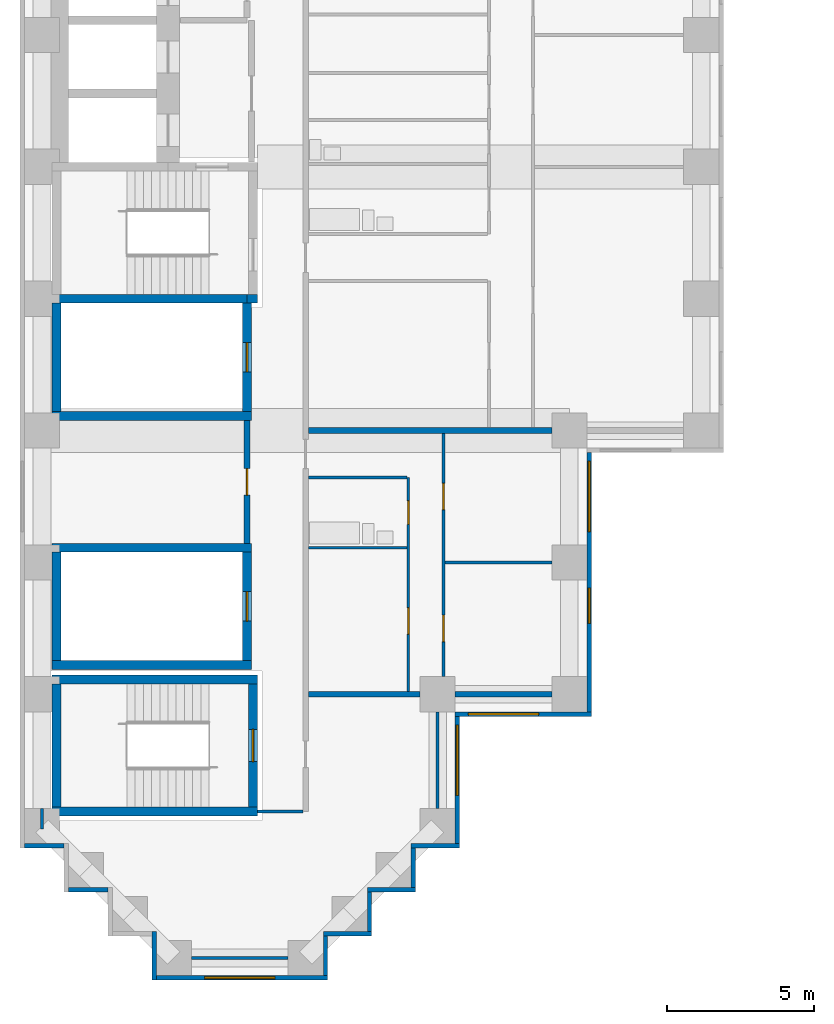
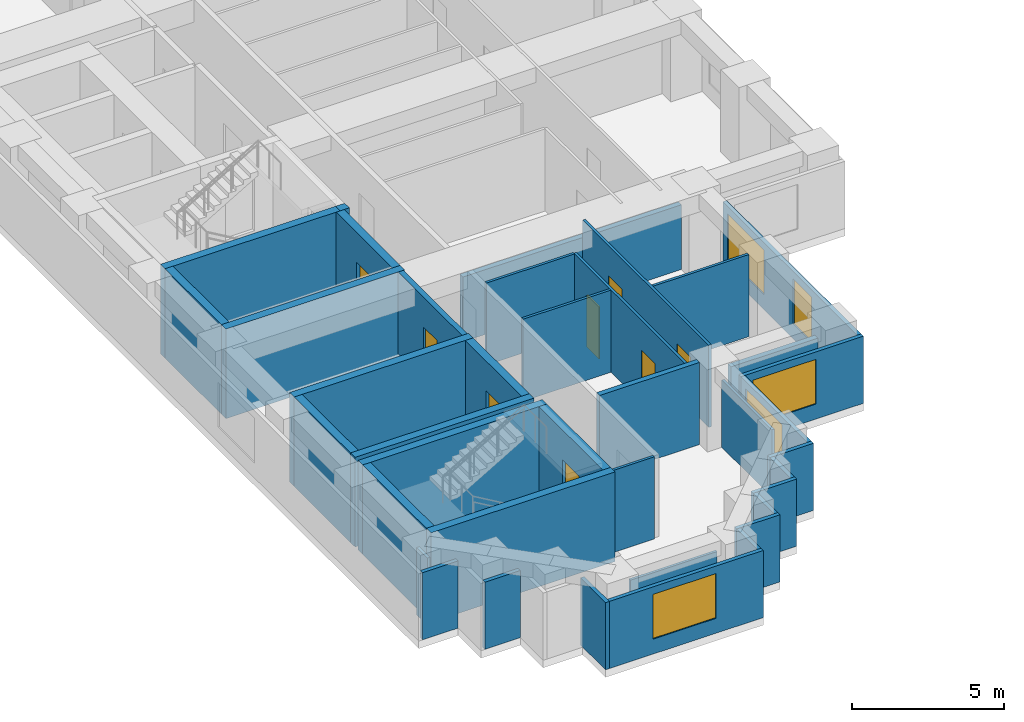
# One storey, part 2 of 12: 39 walls, 8 doors, 5 windows, 13 openings.
"""IFC4 building model written with IfcOpenShell, lengths in metres."""

from ifc_helpers import new_model, si_unit, direction, frame, frame_2d, origin, place, context, subcontext, project, spatial, rectangle, extrude, material, layer, layer_set, type_object, element, fill, save


model = new_model("IFC4")

# Units and contexts
model_context = context("Model", 3, precision=1e-05, world=origin(), true_north=direction((0.0, 1.0)))
body_context = subcontext(model_context, "Body", "Model", "MODEL_VIEW")
ifc_project = project(units=[si_unit("LENGTHUNIT", "METRE"), si_unit("AREAUNIT", "SQUARE_METRE"), si_unit("VOLUMEUNIT", "CUBIC_METRE"), si_unit("PLANEANGLEUNIT", "RADIAN"), si_unit("MASSUNIT", "GRAM", prefix="KILO")], contexts=[model_context])

# Site, building, storey
site_placement = place(None, origin())
site = spatial("IfcSite", under=ifc_project, at=site_placement, CompositionType="ELEMENT")
building_placement = place(site_placement, origin())
building = spatial("IfcBuilding", under=site, at=building_placement, Name="Firuza Court", CompositionType="ELEMENT")
storey_placement = place(building_placement, frame((0.0, 0.0, 97.39990234375)))
storey = spatial("IfcBuildingStorey", under=building, at=storey_placement, Name="L24", CompositionType="ELEMENT", Elevation=97.39990234375)

# Walls
ifc_material_1 = material(Name="Moisture-resistant gypsum board partition")
ifc_layer_1 = layer(ifc_material_1, 0.10009765625)
ifc_layer_set_1 = layer_set([ifc_layer_1], Name="Moisture-resistant gypsum board partition")
wall_type_1 = type_object("IfcWallType", Name="Bathroom partition 100", PredefinedType="PLUMBINGWALL", material=ifc_layer_set_1)
for number, where, z_axis, x_axis, name in (
    (1, (9.10009765625, 14.0, 0.0), (0.0, 0.0, 1.0), (1.0, 0.0, 0.0), "Bathroom partition 100 L24"),
    (2, (9.10009765625, 16.39990234375, 0.0), (0.0, 0.0, 1.0), (1.0, 0.0, 0.0), "Bathroom partition 100 L24"),
):
    element("IfcWall", number, at=place(storey_placement, frame(where, z_axis=z_axis, x_axis=x_axis)), inside=storey, type_object=wall_type_1, Name=name, PredefinedType="PLUMBINGWALL", context=body_context, shape_type="SweptSolid", body=[
        extrude(rectangle(XDim=3.349853515625, YDim=0.10009765625, at=frame_2d((1.6748046875, 0.0))), origin(), (0.0, 0.0, 1.0), 3.300048828125),
    ])
ifc_material_2 = material(Name="Concrete C60/75", Category="concrete")
ifc_layer_2 = layer(ifc_material_2, 0.300048828125)
ifc_layer_set_2 = layer_set([ifc_layer_2], Name="Concrete C60/75")
wall_type_2 = type_object("IfcWallType", Name="Core wall 300 C60/75", PredefinedType="SHEAR", material=ifc_layer_set_2)
for number, where, z_axis, x_axis, name in (
    (3, (0.35009765625, 5.0, -0.2998046875), (0.0, 0.0, 1.0), (1.0, 0.0, 0.0), "Core wall stair L24"),
    (4, (0.35009765625, 9.5, -0.2998046875), (0.0, 0.0, 1.0), (1.0, 0.0, 0.0), "Core wall stair L24"),
):
    element("IfcWall", number, at=place(storey_placement, frame(where, z_axis=z_axis, x_axis=x_axis)), inside=storey, type_object=wall_type_2, Name=name, PredefinedType="SHEAR", context=body_context, shape_type="SweptSolid", body=[
        extrude(rectangle(XDim=7.0, YDim=0.300048828125, at=frame_2d((3.5, 0.0))), origin(), (0.0, 0.0, 1.0), 3.599853515625),
    ])
for number, where, z_axis, x_axis, name in (
    (5, (0.35009765625, 10.0, -0.2998046875), (0.0, 0.0, 1.0), (1.0, 0.0, 0.0), "Core wall riser L24"),
    (6, (0.35009765625, 14.0, -0.2998046875), (0.0, 0.0, 1.0), (1.0, 0.0, 0.0), "Core wall riser L24"),
    (7, (0.35009765625, 18.5, -0.2998046875), (0.0, 0.0, 1.0), (1.0, 0.0, 0.0), "Core wall riser L24"),
):
    element("IfcWall", number, at=place(storey_placement, frame(where, z_axis=z_axis, x_axis=x_axis)), inside=storey, type_object=wall_type_2, Name=name, PredefinedType="SHEAR", context=body_context, shape_type="SweptSolid", body=[
        extrude(rectangle(XDim=6.7998046875, YDim=0.300048828125, at=frame_2d((3.39990234375, 0.0))), origin(), (0.0, 0.0, 1.0), 3.599853515625),
    ])
wall_1_placement = place(storey_placement, frame((0.35009765625, 22.5, -0.2998046875), z_axis=(0.0, 0.0, 1.0), x_axis=(1.0, 0.0, 0.0)))
element("IfcWall", 8, at=wall_1_placement, inside=storey, type_object=wall_type_2, Name="Core wall riser L24", PredefinedType="SHEAR", context=body_context, shape_type="SweptSolid", body=[
    extrude(rectangle(XDim=6.64990234375, YDim=0.300048828125, at=frame_2d((3.324951171875, 0.0))), origin(), (0.0, 0.0, 1.0), 3.599853515625),
])
wall_2_placement = place(storey_placement, frame((0.5, 5.14990234375, -0.2998046875), z_axis=(0.0, 0.0, 1.0), x_axis=(0.0, 1.0, 0.0)))
element("IfcWall", 9, at=wall_2_placement, inside=storey, type_object=wall_type_2, Name="Core wall stair L24", PredefinedType="SHEAR", context=body_context, shape_type="SweptSolid", body=[
    extrude(rectangle(XDim=4.2001953125, YDim=0.300048828125, at=frame_2d((2.10009765625, 0.0))), origin(), (0.0, 0.0, 1.0), 3.599853515625),
])
for number, where, z_axis, x_axis, name in (
    (10, (0.5, 10.14990234375, -0.2998046875), (0.0, 0.0, 1.0), (0.0, 1.0, 0.0), "Core wall riser L24"),
    (11, (0.5, 18.64990234375, -0.2998046875), (0.0, 0.0, 1.0), (0.0, 1.0, 0.0), "Core wall riser L24"),
):
    element("IfcWall", number, at=place(storey_placement, frame(where, z_axis=z_axis, x_axis=x_axis)), inside=storey, type_object=wall_type_2, Name=name, PredefinedType="SHEAR", context=body_context, shape_type="SweptSolid", body=[
        extrude(rectangle(XDim=3.7001953125, YDim=0.300048828125, at=frame_2d((1.85009765625, 0.0))), origin(), (0.0, 0.0, 1.0), 3.599853515625),
    ])

# Wall, opening, door
wall_3_placement = place(storey_placement, frame((7.0, 10.14990234375, -0.2998046875), z_axis=(0.0, 0.0, 1.0), x_axis=(0.0, 1.0, 0.0)))
wall_3 = element("IfcWall", 12, at=wall_3_placement, inside=storey, type_object=wall_type_2, Name="Core wall riser L24", PredefinedType="SHEAR", context=body_context, shape_type="SweptSolid", body=[
    extrude(rectangle(XDim=3.7001953125, YDim=0.300048828125, at=frame_2d((1.85009765625, 0.0))), origin(), (0.0, 0.0, 1.0), 3.599853515625),
])
opening_1_placement = place(wall_3_placement, frame((1.35009765625, 0.0, 0.300048828125)))
opening_1 = element("IfcOpeningElement", 13, at=opening_1_placement, cuts=wall_3, Name="Opening D24012", PredefinedType="OPENING", context=body_context, shape_type="SweptSolid", body=[
    extrude(rectangle(XDim=1.0, YDim=2.10009765625, at=frame_2d((0.5, 1.050048828125))), frame((0.0, 0.162109375, 0.0), z_axis=(0.0, -1.0, 0.0), x_axis=(1.0, 0.0, 0.0)), (0.0, 0.0, 1.0), 0.323974609375),
])
ifc_material_3 = material(Name="Timber door leaf in hardwood frame", Category="wood")
door_type_1 = type_object("IfcDoorType", Name="Riser door 1000", OperationType="SINGLE_SWING_LEFT", PredefinedType="DOOR", material=ifc_material_3)
door_1_placement = place(opening_1_placement, origin())
door_1 = element("IfcDoor", 14, at=door_1_placement, inside=storey, type_object=door_type_1, Name="Riser door R4", OperationType="SINGLE_SWING_LEFT", OverallHeight=2.10009765625, OverallWidth=1.0, PredefinedType="DOOR", context=body_context, shape_type="SweptSolid", body=[
    extrude(rectangle(XDim=1.0, YDim=2.10009765625, at=frame_2d((0.5, 1.050048828125))), frame((0.0, 0.02490234375, 0.0), z_axis=(0.0, -1.0, 0.0), x_axis=(1.0, 0.0, 0.0)), (0.0, 0.0, 1.0), 0.050048828125),
])
fill(opening_1, door_1)

wall_4_placement = place(storey_placement, frame((7.0, 18.64990234375, -0.2998046875), z_axis=(0.0, 0.0, 1.0), x_axis=(0.0, 1.0, 0.0)))
wall_4 = element("IfcWall", 15, at=wall_4_placement, inside=storey, type_object=wall_type_2, Name="Core wall riser L24", PredefinedType="SHEAR", context=body_context, shape_type="SweptSolid", body=[
    extrude(rectangle(XDim=3.7001953125, YDim=0.300048828125, at=frame_2d((1.85009765625, 0.0))), origin(), (0.0, 0.0, 1.0), 3.599853515625),
])
opening_2_placement = place(wall_4_placement, frame((1.35009765625, 0.0, 0.300048828125)))
opening_2 = element("IfcOpeningElement", 16, at=opening_2_placement, cuts=wall_4, Name="Opening D24010", PredefinedType="OPENING", context=body_context, shape_type="SweptSolid", body=[
    extrude(rectangle(XDim=1.0, YDim=2.10009765625, at=frame_2d((0.5, 1.050048828125))), frame((0.0, 0.162109375, 0.0), z_axis=(0.0, -1.0, 0.0), x_axis=(1.0, 0.0, 0.0)), (0.0, 0.0, 1.0), 0.323974609375),
])
door_2_placement = place(opening_2_placement, origin())
door_2 = element("IfcDoor", 17, at=door_2_placement, inside=storey, type_object=door_type_1, Name="Riser door R1", OperationType="SINGLE_SWING_LEFT", OverallHeight=2.10009765625, OverallWidth=1.0, PredefinedType="DOOR", context=body_context, shape_type="SweptSolid", body=[
    extrude(rectangle(XDim=1.0, YDim=2.10009765625, at=frame_2d((0.5, 1.050048828125))), frame((0.0, 0.02490234375, 0.0), z_axis=(0.0, -1.0, 0.0), x_axis=(1.0, 0.0, 0.0)), (0.0, 0.0, 1.0), 0.050048828125),
])
fill(opening_2, door_2)

# Wall
wall_5_placement = place(storey_placement, frame((7.0, 22.5, -0.2998046875), z_axis=(0.0, 0.0, 1.0), x_axis=(1.0, 0.0, 0.0)))
element("IfcWall", 18, at=wall_5_placement, inside=storey, type_object=wall_type_2, Name="Core wall stair L24", PredefinedType="SHEAR", context=body_context, shape_type="SweptSolid", body=[
    extrude(rectangle(XDim=0.35009765625, YDim=0.300048828125, at=frame_2d((0.175048828125, 0.0))), origin(), (0.0, 0.0, 1.0), 3.599853515625),
])

# Wall, opening, door
wall_6_placement = place(storey_placement, frame((7.199951171875, 5.14990234375, -0.2998046875), z_axis=(0.0, 0.0, 1.0), x_axis=(0.0, 1.0, 0.0)))
wall_6 = element("IfcWall", 19, at=wall_6_placement, inside=storey, type_object=wall_type_2, Name="Core wall stair L24", PredefinedType="SHEAR", context=body_context, shape_type="SweptSolid", body=[
    extrude(rectangle(XDim=4.2001953125, YDim=0.300048828125, at=frame_2d((2.10009765625, 0.0))), origin(), (0.0, 0.0, 1.0), 3.599853515625),
])
opening_3_placement = place(wall_6_placement, frame((1.550048828125, 0.0, 0.300048828125)))
opening_3 = element("IfcOpeningElement", 20, at=opening_3_placement, cuts=wall_6, Name="Opening D24018", PredefinedType="OPENING", context=body_context, shape_type="SweptSolid", body=[
    extrude(rectangle(XDim=1.10009765625, YDim=2.10009765625, at=frame_2d((0.550048828125, 1.050048828125))), frame((0.0, 0.162109375, 0.0), z_axis=(0.0, -1.0, 0.0), x_axis=(1.0, 0.0, 0.0)), (0.0, 0.0, 1.0), 0.323974609375),
])
ifc_material_4 = material(Name="Timber door leaf in hardwood frame", Category="wood")
door_type_2 = type_object("IfcDoorType", Name="Stair door 1100", OperationType="SINGLE_SWING_LEFT", PredefinedType="DOOR", material=ifc_material_4)
door_3_placement = place(opening_3_placement, origin())
door_3 = element("IfcDoor", 21, at=door_3_placement, inside=storey, type_object=door_type_2, Name="Stair door S5", OperationType="SINGLE_SWING_LEFT", OverallHeight=2.10009765625, OverallWidth=1.10009765625, PredefinedType="DOOR", context=body_context, shape_type="SweptSolid", body=[
    extrude(rectangle(XDim=1.10009765625, YDim=2.10009765625, at=frame_2d((0.550048828125, 1.050048828125))), frame((0.0, 0.02490234375, 0.0), z_axis=(0.0, -1.0, 0.0), x_axis=(1.0, 0.0, 0.0)), (0.0, 0.0, 1.0), 0.050048828125),
])
fill(opening_3, door_3)

ifc_material_5 = material(Name="Blockwork, plastered both sides", Category="masonry")
ifc_layer_3 = layer(ifc_material_5, 0.199951171875)
ifc_layer_set_3 = layer_set([ifc_layer_3], Name="Blockwork, plastered both sides")
wall_type_3 = type_object("IfcWallType", Name="Corridor wall 200", PredefinedType="PARTITIONING", material=ifc_layer_set_3)
wall_7_placement = place(storey_placement, frame((7.0, 14.14990234375, 0.0), z_axis=(0.0, 0.0, 1.0), x_axis=(0.0, 1.0, 0.0)))
wall_7 = element("IfcWall", 22, at=wall_7_placement, inside=storey, type_object=wall_type_3, Name="Corridor wall 200 L24", PredefinedType="PARTITIONING", context=body_context, shape_type="SweptSolid", body=[
    extrude(rectangle(XDim=4.2001953125, YDim=0.199951171875, at=frame_2d((2.10009765625, 0.0))), origin(), (0.0, 0.0, 1.0), 3.300048828125),
])
opening_4_placement = place(wall_7_placement, frame((1.64990234375, 0.0, 0.0)))
opening_4 = element("IfcOpeningElement", 23, at=opening_4_placement, cuts=wall_7, Name="Opening D24027", PredefinedType="OPENING", context=body_context, shape_type="SweptSolid", body=[
    extrude(rectangle(XDim=0.89990234375, YDim=2.10009765625, at=frame_2d((0.449951171875, 1.050048828125))), frame((0.0, 0.11181640625, 0.0), z_axis=(0.0, -1.0, 0.0), x_axis=(1.0, 0.0, 0.0)), (0.0, 0.0, 1.0), 0.223876953125),
])
ifc_material_6 = material(Name="Timber door leaf in hardwood frame", Category="wood")
door_type_3 = type_object("IfcDoorType", Name="Room door 900 EI 30", OperationType="SINGLE_SWING_LEFT", PredefinedType="DOOR", material=ifc_material_6)
door_4_placement = place(opening_4_placement, origin())
door_4 = element("IfcDoor", 24, at=door_4_placement, inside=storey, type_object=door_type_3, Name="Meeting room door", OperationType="SINGLE_SWING_LEFT", OverallHeight=2.10009765625, OverallWidth=0.89990234375, PredefinedType="DOOR", context=body_context, shape_type="SweptSolid", body=[
    extrude(rectangle(XDim=0.89990234375, YDim=2.10009765625, at=frame_2d((0.449951171875, 1.050048828125))), frame((0.0, 0.02490234375, 0.0), z_axis=(0.0, -1.0, 0.0), x_axis=(1.0, 0.0, 0.0)), (0.0, 0.0, 1.0), 0.050048828125),
])
fill(opening_4, door_4)

# Walls
ifc_material_7 = material(Name="Timber stud partition, plasterboard both sides", Category="wood")
ifc_layer_4 = layer(ifc_material_7, 0.10009765625)
ifc_layer_set_4 = layer_set([ifc_layer_4], Name="Timber stud partition, plasterboard both sides")
wall_type_4 = type_object("IfcWallType", Name="Partition wall 100", PredefinedType="PARTITIONING", material=ifc_layer_set_4)
wall_8_placement = place(storey_placement, frame((5.10009765625, 0.0, 0.0), z_axis=(0.0, 0.0, 1.0), x_axis=(1.0, 0.0, 0.0)))
element("IfcWall", 25, at=wall_8_placement, inside=storey, type_object=wall_type_4, Name="Partition wall 100 L24", PredefinedType="PARTITIONING", context=body_context, shape_type="SweptSolid", body=[
    extrude(rectangle(XDim=3.2998046875, YDim=0.10009765625, at=frame_2d((1.64990234375, 0.0))), origin(), (0.0, 0.0, 1.0), 2.7001953125),
])
wall_9_placement = place(storey_placement, frame((0.0, 4.39990234375, 0.0), z_axis=(0.0, 0.0, 1.0), x_axis=(0.0, 1.0, 0.0)))
element("IfcWall", 26, at=wall_9_placement, inside=storey, type_object=wall_type_4, Name="Partition wall 100 L24", PredefinedType="PARTITIONING", context=body_context, shape_type="SweptSolid", body=[
    extrude(rectangle(XDim=0.7001953125, YDim=0.10009765625, at=frame_2d((0.35009765625, 0.0))), origin(), (0.0, 0.0, 1.0), 2.7001953125),
])
wall_10_placement = place(storey_placement, frame((7.34912109375, 5.0, 0.0), z_axis=(0.0, 0.0, 1.0), x_axis=(1.0, 0.0, 0.0)))
element("IfcWall", 27, at=wall_10_placement, inside=storey, type_object=wall_type_4, Name="Partition wall 100 L24", PredefinedType="PARTITIONING", context=body_context, shape_type="SweptSolid", body=[
    extrude(rectangle(XDim=1.55078125, YDim=0.10009765625, at=frame_2d((0.775390625, 0.0))), origin(), (0.0, 0.0, 1.0), 3.300048828125),
])
wall_11_placement = place(storey_placement, frame((13.5, 5.10009765625, 0.0), z_axis=(0.0, 0.0, 1.0), x_axis=(0.0, 1.0, 0.0)))
element("IfcWall", 28, at=wall_11_placement, inside=storey, type_object=wall_type_4, Name="Partition wall 100 L24", PredefinedType="PARTITIONING", context=body_context, shape_type="SweptSolid", body=[
    extrude(rectangle(XDim=3.2998046875, YDim=0.10009765625, at=frame_2d((1.64990234375, 0.0))), origin(), (0.0, 0.0, 1.0), 2.7001953125),
])

# Wall, openings, doors
wall_12_placement = place(storey_placement, frame((12.5, 9.10009765625, 0.0), z_axis=(0.0, 0.0, 1.0), x_axis=(0.0, 1.0, 0.0)))
wall_12 = element("IfcWall", 29, at=wall_12_placement, inside=storey, type_object=wall_type_4, Name="Partition wall 100 L24", PredefinedType="PARTITIONING", context=body_context, shape_type="SweptSolid", body=[
    extrude(rectangle(XDim=7.2998046875, YDim=0.10009765625, at=frame_2d((3.64990234375, 0.0))), origin(), (0.0, 0.0, 1.0), 3.300048828125),
])
opening_5_placement = place(wall_12_placement, frame((5.699951171875, 0.0, 0.0)))
opening_5 = element("IfcOpeningElement", 30, at=opening_5_placement, cuts=wall_12, Name="Opening D24023", PredefinedType="OPENING", context=body_context, shape_type="SweptSolid", body=[
    extrude(rectangle(XDim=0.800048828125, YDim=2.10009765625, at=frame_2d((0.39990234375, 1.050048828125))), frame((0.0, 0.06201171875, 0.0), z_axis=(0.0, -1.0, 0.0), x_axis=(1.0, 0.0, 0.0)), (0.0, 0.0, 1.0), 0.1240234375),
])
opening_6_placement = place(wall_12_placement, frame((1.949951171875, 0.0, 0.0)))
opening_6 = element("IfcOpeningElement", 31, at=opening_6_placement, cuts=wall_12, Name="Opening D24024", PredefinedType="OPENING", context=body_context, shape_type="SweptSolid", body=[
    extrude(rectangle(XDim=0.89990234375, YDim=2.10009765625, at=frame_2d((0.449951171875, 1.050048828125))), frame((0.0, 0.06201171875, 0.0), z_axis=(0.0, -1.0, 0.0), x_axis=(1.0, 0.0, 0.0)), (0.0, 0.0, 1.0), 0.1240234375),
])
ifc_material_8 = material(Name="Timber door leaf in hardwood frame", Category="wood")
door_type_4 = type_object("IfcDoorType", Name="Bathroom door 800", OperationType="SINGLE_SWING_LEFT", PredefinedType="DOOR", material=ifc_material_8)
door_5_placement = place(opening_5_placement, origin())
door_5 = element("IfcDoor", 32, at=door_5_placement, inside=storey, type_object=door_type_4, Name="Bathroom door", OperationType="SINGLE_SWING_LEFT", OverallHeight=2.10009765625, OverallWidth=0.800048828125, PredefinedType="DOOR", context=body_context, shape_type="SweptSolid", body=[
    extrude(rectangle(XDim=0.800048828125, YDim=2.10009765625, at=frame_2d((0.39990234375, 1.050048828125))), frame((0.0, 0.02490234375, 0.0), z_axis=(0.0, -1.0, 0.0), x_axis=(1.0, 0.0, 0.0)), (0.0, 0.0, 1.0), 0.050048828125),
])
fill(opening_5, door_5)
ifc_material_9 = material(Name="Timber door leaf in hardwood frame", Category="wood")
door_type_5 = type_object("IfcDoorType", Name="Room door 900", OperationType="SINGLE_SWING_LEFT", PredefinedType="DOOR", material=ifc_material_9)
door_6_placement = place(opening_6_placement, origin())
door_6 = element("IfcDoor", 33, at=door_6_placement, inside=storey, type_object=door_type_5, Name="Kitchen door", OperationType="SINGLE_SWING_LEFT", OverallHeight=2.10009765625, OverallWidth=0.89990234375, PredefinedType="DOOR", context=body_context, shape_type="SweptSolid", body=[
    extrude(rectangle(XDim=0.89990234375, YDim=2.10009765625, at=frame_2d((0.449951171875, 1.050048828125))), frame((0.0, 0.02490234375, 0.0), z_axis=(0.0, -1.0, 0.0), x_axis=(1.0, 0.0, 0.0)), (0.0, 0.0, 1.0), 0.050048828125),
])
fill(opening_6, door_6)

wall_13_placement = place(storey_placement, frame((13.699951171875, 9.60009765625, 0.0), z_axis=(0.0, 0.0, 1.0), x_axis=(0.0, 1.0, 0.0)))
wall_13 = element("IfcWall", 34, at=wall_13_placement, inside=storey, type_object=wall_type_4, Name="Partition wall 100 L24", PredefinedType="PARTITIONING", context=body_context, shape_type="SweptSolid", body=[
    extrude(rectangle(XDim=8.2998046875, YDim=0.10009765625, at=frame_2d((4.14990234375, 0.0))), origin(), (0.0, 0.0, 1.0), 3.300048828125),
])
opening_7_placement = place(wall_13_placement, frame((1.199951171875, 0.0, 0.0)))
opening_7 = element("IfcOpeningElement", 35, at=opening_7_placement, cuts=wall_13, Name="Opening D24025", PredefinedType="OPENING", context=body_context, shape_type="SweptSolid", body=[
    extrude(rectangle(XDim=0.89990234375, YDim=2.10009765625, at=frame_2d((0.449951171875, 1.050048828125))), frame((0.0, 0.06201171875, 0.0), z_axis=(0.0, -1.0, 0.0), x_axis=(1.0, 0.0, 0.0)), (0.0, 0.0, 1.0), 0.1240234375),
])
opening_8_placement = place(wall_13_placement, frame((5.699951171875, 0.0, 0.0)))
opening_8 = element("IfcOpeningElement", 36, at=opening_8_placement, cuts=wall_13, Name="Opening D24026", PredefinedType="OPENING", context=body_context, shape_type="SweptSolid", body=[
    extrude(rectangle(XDim=0.89990234375, YDim=2.10009765625, at=frame_2d((0.449951171875, 1.050048828125))), frame((0.0, 0.06201171875, 0.0), z_axis=(0.0, -1.0, 0.0), x_axis=(1.0, 0.0, 0.0)), (0.0, 0.0, 1.0), 0.1240234375),
])
door_7_placement = place(opening_7_placement, frame((0.89990234375, 0.0, 0.0), z_axis=(0.0, 0.0, 1.0), x_axis=(-1.0, 0.0, 0.0)))
door_7 = element("IfcDoor", 37, at=door_7_placement, inside=storey, type_object=door_type_5, Name="Bedroom door", OperationType="SINGLE_SWING_RIGHT", OverallHeight=2.10009765625, OverallWidth=0.89990234375, PredefinedType="DOOR", context=body_context, shape_type="SweptSolid", body=[
    extrude(rectangle(XDim=0.89990234375, YDim=2.10009765625, at=frame_2d((0.449951171875, 1.050048828125))), frame((0.0, 0.02490234375, 0.0), z_axis=(0.0, -1.0, 0.0), x_axis=(1.0, 0.0, 0.0)), (0.0, 0.0, 1.0), 0.050048828125),
])
fill(opening_7, door_7)
door_8_placement = place(opening_8_placement, frame((0.89990234375, 0.0, 0.0), z_axis=(0.0, 0.0, 1.0), x_axis=(-1.0, 0.0, 0.0)))
door_8 = element("IfcDoor", 38, at=door_8_placement, inside=storey, type_object=door_type_5, Name="Living room door", OperationType="SINGLE_SWING_RIGHT", OverallHeight=2.10009765625, OverallWidth=0.89990234375, PredefinedType="DOOR", context=body_context, shape_type="SweptSolid", body=[
    extrude(rectangle(XDim=0.89990234375, YDim=2.10009765625, at=frame_2d((0.449951171875, 1.050048828125))), frame((0.0, 0.02490234375, 0.0), z_axis=(0.0, -1.0, 0.0), x_axis=(1.0, 0.0, 0.0)), (0.0, 0.0, 1.0), 0.050048828125),
])
fill(opening_8, door_8)

# Walls
wall_14_placement = place(storey_placement, frame((13.75, 13.5, 0.0), z_axis=(0.0, 0.0, 1.0), x_axis=(1.0, 0.0, 0.0)))
element("IfcWall", 39, at=wall_14_placement, inside=storey, type_object=wall_type_4, Name="Partition wall 100 L24", PredefinedType="PARTITIONING", context=body_context, shape_type="SweptSolid", body=[
    extrude(rectangle(XDim=3.64990234375, YDim=0.10009765625, at=frame_2d((1.824951171875, 0.0))), origin(), (0.0, 0.0, 1.0), 3.300048828125),
])
ifc_layer_5 = layer(ifc_material_5, 0.199951171875)
ifc_layer_set_5 = layer_set([ifc_layer_5], Name="Blockwork, plastered both sides")
wall_type_5 = type_object("IfcWallType", Name="Party wall 200", PredefinedType="PARTITIONING", material=ifc_layer_set_5)
wall_15_placement = place(storey_placement, frame((9.10009765625, 9.0, 0.0), z_axis=(0.0, 0.0, 1.0), x_axis=(1.0, 0.0, 0.0)))
element("IfcWall", 40, at=wall_15_placement, inside=storey, type_object=wall_type_5, Name="Party wall 200 L24", PredefinedType="PARTITIONING", context=body_context, shape_type="SweptSolid", body=[
    extrude(rectangle(XDim=3.7998046875, YDim=0.199951171875, at=frame_2d((1.89990234375, 0.0))), origin(), (0.0, 0.0, 1.0), 3.300048828125),
])
wall_16_placement = place(storey_placement, frame((14.10009765625, 9.0, 0.0), z_axis=(0.0, 0.0, 1.0), x_axis=(1.0, 0.0, 0.0)))
element("IfcWall", 41, at=wall_16_placement, inside=storey, type_object=wall_type_5, Name="Party wall 200 L24", PredefinedType="PARTITIONING", context=body_context, shape_type="SweptSolid", body=[
    extrude(rectangle(XDim=3.2998046875, YDim=0.199951171875, at=frame_2d((1.64990234375, 0.0))), origin(), (0.0, 0.0, 1.0), 2.7001953125),
])
wall_17_placement = place(storey_placement, frame((9.10009765625, 18.0, 0.0), z_axis=(0.0, 0.0, 1.0), x_axis=(1.0, 0.0, 0.0)))
element("IfcWall", 42, at=wall_17_placement, inside=storey, type_object=wall_type_5, Name="Party wall 200 L24", PredefinedType="PARTITIONING", context=body_context, shape_type="SweptSolid", body=[
    extrude(rectangle(XDim=8.2998046875, YDim=0.199951171875, at=frame_2d((4.14990234375, 0.0))), origin(), (0.0, 0.0, 1.0), 2.60009765625),
])
ifc_material_10 = material(Name="Ceramic tile", Category="ceramic")
ifc_layer_6 = layer(ifc_material_10, 0.02001953125)
ifc_material_11 = material(Name="Mineral wool insulation", Category="insulation")
ifc_layer_7 = layer(ifc_material_11, 0.050048828125)
ifc_material_12 = material(Name="Concrete C40/50 precast", Category="concrete")
ifc_layer_8 = layer(ifc_material_12, 0.080078125)
ifc_layer_set_6 = layer_set([ifc_layer_6, ifc_layer_7, ifc_layer_8], Name="Concrete C40/50 precast")
wall_type_6 = type_object("IfcWallType", Name="Precast cladding wall with turquoise TILE PANEL face 150", PredefinedType="STANDARD", material=ifc_layer_set_6)
wall_18_placement = place(storey_placement, frame((9.675048828125, -0.60009765625, 0.0), z_axis=(0.0, 0.0, 1.0), x_axis=(0.0, 1.0, 0.0)))
element("IfcWall", 43, at=wall_18_placement, inside=storey, type_object=wall_type_6, Name="Facade wall L24 E", PredefinedType="STANDARD", context=body_context, shape_type="SweptSolid", body=[
    extrude(rectangle(XDim=1.35009765625, YDim=0.14990234375, at=frame_2d((0.675048828125, 0.0))), origin(), (0.0, 0.0, 1.0), 2.7001953125),
])
wall_19_placement = place(storey_placement, frame((9.60009765625, 0.824951171875, 0.0), z_axis=(0.0, 0.0, 1.0), x_axis=(1.0, 0.0, 0.0)))
element("IfcWall", 44, at=wall_19_placement, inside=storey, type_object=wall_type_6, Name="Facade wall L24 S", PredefinedType="STANDARD", context=body_context, shape_type="SweptSolid", body=[
    extrude(rectangle(XDim=1.64990234375, YDim=0.14990234375, at=frame_2d((0.824951171875, 0.0))), origin(), (0.0, 0.0, 1.0), 2.7001953125),
])
wall_20_placement = place(storey_placement, frame((11.175048828125, 0.89990234375, 0.0), z_axis=(0.0, 0.0, 1.0), x_axis=(0.0, 1.0, 0.0)))
element("IfcWall", 45, at=wall_20_placement, inside=storey, type_object=wall_type_6, Name="Facade wall L24 E", PredefinedType="STANDARD", context=body_context, shape_type="SweptSolid", body=[
    extrude(rectangle(XDim=1.35009765625, YDim=0.14990234375, at=frame_2d((0.675048828125, 0.0))), origin(), (0.0, 0.0, 1.0), 2.7001953125),
])
wall_21_placement = place(storey_placement, frame((11.10009765625, 2.324951171875, 0.0), z_axis=(0.0, 0.0, 1.0), x_axis=(1.0, 0.0, 0.0)))
element("IfcWall", 46, at=wall_21_placement, inside=storey, type_object=wall_type_6, Name="Facade wall L24 S", PredefinedType="STANDARD", context=body_context, shape_type="SweptSolid", body=[
    extrude(rectangle(XDim=1.64990234375, YDim=0.14990234375, at=frame_2d((0.824951171875, 0.0))), origin(), (0.0, 0.0, 1.0), 2.7001953125),
])
wall_22_placement = place(storey_placement, frame((12.675048828125, 2.39990234375, 0.0), z_axis=(0.0, 0.0, 1.0), x_axis=(0.0, 1.0, 0.0)))
element("IfcWall", 47, at=wall_22_placement, inside=storey, type_object=wall_type_6, Name="Facade wall L24 E", PredefinedType="STANDARD", context=body_context, shape_type="SweptSolid", body=[
    extrude(rectangle(XDim=1.35009765625, YDim=0.14990234375, at=frame_2d((0.675048828125, 0.0))), origin(), (0.0, 0.0, 1.0), 2.7001953125),
])
wall_23_placement = place(storey_placement, frame((12.60009765625, 3.824951171875, 0.0), z_axis=(0.0, 0.0, 1.0), x_axis=(1.0, 0.0, 0.0)))
element("IfcWall", 48, at=wall_23_placement, inside=storey, type_object=wall_type_6, Name="Facade wall L24 S", PredefinedType="STANDARD", context=body_context, shape_type="SweptSolid", body=[
    extrude(rectangle(XDim=1.64990234375, YDim=0.14990234375, at=frame_2d((0.824951171875, 0.0))), origin(), (0.0, 0.0, 1.0), 2.7001953125),
])

# Wall, opening, window
wall_24_placement = place(storey_placement, frame((14.175048828125, 3.89990234375, 0.0), z_axis=(0.0, 0.0, 1.0), x_axis=(0.0, 1.0, 0.0)))
wall_24 = element("IfcWall", 49, at=wall_24_placement, inside=storey, type_object=wall_type_6, Name="Facade wall L24 E", PredefinedType="STANDARD", context=body_context, shape_type="SweptSolid", body=[
    extrude(rectangle(XDim=4.35009765625, YDim=0.14990234375, at=frame_2d((2.175048828125, 0.0))), origin(), (0.0, 0.0, 1.0), 2.7001953125),
])
opening_9_placement = place(wall_24_placement, frame((1.64990234375, 0.0, 0.60009765625)))
opening_9 = element("IfcOpeningElement", 50, at=opening_9_placement, cuts=wall_24, Name="Opening W1", PredefinedType="OPENING", context=body_context, shape_type="SweptSolid", body=[
    extrude(rectangle(XDim=2.39990234375, YDim=1.800048828125, at=frame_2d((1.199951171875, 0.89990234375))), frame((0.0, 0.0869140625, 0.0), z_axis=(0.0, -1.0, 0.0), x_axis=(1.0, 0.0, 0.0)), (0.0, 0.0, 1.0), 0.173828125),
])
ifc_material_13 = material(Name="Aluminium frame, triple clear glazing", Category="aluminium")
window_type_1 = type_object("IfcWindowType", Name="Window W1 2400 x 1800", PartitioningType="SINGLE_PANEL", PredefinedType="WINDOW", material=ifc_material_13)
window_1_placement = place(opening_9_placement, origin())
window_1 = element("IfcWindow", 51, at=window_1_placement, inside=storey, type_object=window_type_1, Name="Window L24", OverallHeight=1.800048828125, OverallWidth=2.39990234375, PartitioningType="SINGLE_PANEL", PredefinedType="WINDOW", context=body_context, shape_type="SweptSolid", body=[
    extrude(rectangle(XDim=2.39990234375, YDim=1.800048828125, at=frame_2d((1.199951171875, 0.89990234375))), frame((0.0, 0.030029296875, 0.0), z_axis=(0.0, -1.0, 0.0), x_axis=(1.0, 0.0, 0.0)), (0.0, 0.0, 1.0), 0.06005859375),
])
fill(opening_9, window_1)

wall_25_placement = place(storey_placement, frame((14.10009765625, 8.324951171875, 0.0), z_axis=(0.0, 0.0, 1.0), x_axis=(1.0, 0.0, 0.0)))
wall_25 = element("IfcWall", 52, at=wall_25_placement, inside=storey, type_object=wall_type_6, Name="Facade wall L24 S", PredefinedType="STANDARD", context=body_context, shape_type="SweptSolid", body=[
    extrude(rectangle(XDim=4.64990234375, YDim=0.14990234375, at=frame_2d((2.324951171875, 0.0))), origin(), (0.0, 0.0, 1.0), 2.7001953125),
])
opening_10_placement = place(wall_25_placement, frame((0.449951171875, 0.0, 0.60009765625)))
opening_10 = element("IfcOpeningElement", 53, at=opening_10_placement, cuts=wall_25, Name="Opening W1", PredefinedType="OPENING", context=body_context, shape_type="SweptSolid", body=[
    extrude(rectangle(XDim=2.39990234375, YDim=1.800048828125, at=frame_2d((1.199951171875, 0.89990234375))), frame((0.0, 0.0869140625, 0.0), z_axis=(0.0, -1.0, 0.0), x_axis=(1.0, 0.0, 0.0)), (0.0, 0.0, 1.0), 0.173828125),
])
window_2_placement = place(opening_10_placement, origin())
window_2 = element("IfcWindow", 54, at=window_2_placement, inside=storey, type_object=window_type_1, Name="Window L24", OverallHeight=1.800048828125, OverallWidth=2.39990234375, PartitioningType="SINGLE_PANEL", PredefinedType="WINDOW", context=body_context, shape_type="SweptSolid", body=[
    extrude(rectangle(XDim=2.39990234375, YDim=1.800048828125, at=frame_2d((1.199951171875, 0.89990234375))), frame((0.0, 0.030029296875, 0.0), z_axis=(0.0, -1.0, 0.0), x_axis=(1.0, 0.0, 0.0)), (0.0, 0.0, 1.0), 0.06005859375),
])
fill(opening_10, window_2)

# Wall, openings, windows
wall_26_placement = place(storey_placement, frame((18.675048828125, 8.39990234375, 0.0), z_axis=(0.0, 0.0, 1.0), x_axis=(0.0, 1.0, 0.0)))
wall_26 = element("IfcWall", 55, at=wall_26_placement, inside=storey, type_object=wall_type_6, Name="Facade wall L24 E", PredefinedType="STANDARD", context=body_context, shape_type="SweptSolid", body=[
    extrude(rectangle(XDim=8.85009765625, YDim=0.14990234375, at=frame_2d((4.425048828125, 0.0))), origin(), (0.0, 0.0, 1.0), 2.7001953125),
])
opening_11_placement = place(wall_26_placement, frame((3.022216796875, 0.0, 0.60009765625)))
opening_11 = element("IfcOpeningElement", 56, at=opening_11_placement, cuts=wall_26, Name="Opening W8", PredefinedType="OPENING", context=body_context, shape_type="SweptSolid", body=[
    extrude(rectangle(XDim=1.199951171875, YDim=1.800048828125, at=frame_2d((0.60009765625, 0.89990234375))), frame((0.0, 0.0869140625, 0.0), z_axis=(0.0, -1.0, 0.0), x_axis=(1.0, 0.0, 0.0)), (0.0, 0.0, 1.0), 0.173828125),
])
opening_12_placement = place(wall_26_placement, frame((6.14990234375, 0.0, 0.60009765625)))
opening_12 = element("IfcOpeningElement", 57, at=opening_12_placement, cuts=wall_26, Name="Opening W1", PredefinedType="OPENING", context=body_context, shape_type="SweptSolid", body=[
    extrude(rectangle(XDim=2.39990234375, YDim=1.800048828125, at=frame_2d((1.199951171875, 0.89990234375))), frame((0.0, 0.0869140625, 0.0), z_axis=(0.0, -1.0, 0.0), x_axis=(1.0, 0.0, 0.0)), (0.0, 0.0, 1.0), 0.173828125),
])
window_3_placement = place(opening_12_placement, origin())
window_3 = element("IfcWindow", 58, at=window_3_placement, inside=storey, type_object=window_type_1, Name="Window L24", OverallHeight=1.800048828125, OverallWidth=2.39990234375, PartitioningType="SINGLE_PANEL", PredefinedType="WINDOW", context=body_context, shape_type="SweptSolid", body=[
    extrude(rectangle(XDim=2.39990234375, YDim=1.800048828125, at=frame_2d((1.199951171875, 0.89990234375))), frame((0.0, 0.030029296875, 0.0), z_axis=(0.0, -1.0, 0.0), x_axis=(1.0, 0.0, 0.0)), (0.0, 0.0, 1.0), 0.06005859375),
])
fill(opening_12, window_3)
ifc_material_14 = material(Name="Aluminium frame, triple clear glazing", Category="aluminium")
window_type_2 = type_object("IfcWindowType", Name="Window W8 1200 x 1800", PartitioningType="SINGLE_PANEL", PredefinedType="WINDOW", material=ifc_material_14)
window_4_placement = place(opening_11_placement, origin())
window_4 = element("IfcWindow", 59, at=window_4_placement, inside=storey, type_object=window_type_2, Name="Window L24", OverallHeight=1.800048828125, OverallWidth=1.199951171875, PartitioningType="SINGLE_PANEL", PredefinedType="WINDOW", context=body_context, shape_type="SweptSolid", body=[
    extrude(rectangle(XDim=1.199951171875, YDim=1.800048828125, at=frame_2d((0.60009765625, 0.89990234375))), frame((0.0, 0.030029296875, 0.0), z_axis=(0.0, -1.0, 0.0), x_axis=(1.0, 0.0, 0.0)), (0.0, 0.0, 1.0), 0.06005859375),
])
fill(opening_11, window_4)

# Walls
for number, where, z_axis, x_axis, name in (
    (60, (-0.60009765625, 3.824951171875, 0.0), (0.0, 0.0, 1.0), (1.0, 0.0, 0.0), "Facade wall L24 S"),
    (61, (0.89990234375, 2.324951171875, 0.0), (0.0, 0.0, 1.0), (1.0, 0.0, 0.0), "Facade wall L24 S"),
):
    element("IfcWall", number, at=place(storey_placement, frame(where, z_axis=z_axis, x_axis=x_axis)), inside=storey, type_object=wall_type_6, Name=name, PredefinedType="STANDARD", context=body_context, shape_type="SweptSolid", body=[
        extrude(rectangle(XDim=1.35009765625, YDim=0.14990234375, at=frame_2d((0.675048828125, 0.0))), origin(), (0.0, 0.0, 1.0), 2.7001953125),
    ])
wall_27_placement = place(storey_placement, frame((3.824951171875, 0.89990234375, 0.0), z_axis=(0.0, 0.0, 1.0), x_axis=(0.0, -1.0, 0.0)))
element("IfcWall", 62, at=wall_27_placement, inside=storey, type_object=wall_type_6, Name="Facade wall L24 W", PredefinedType="STANDARD", context=body_context, shape_type="SweptSolid", body=[
    extrude(rectangle(XDim=1.64990234375, YDim=0.14990234375, at=frame_2d((0.824951171875, 0.0))), origin(), (0.0, 0.0, 1.0), 2.7001953125),
])

# Wall, opening, window
wall_28_placement = place(storey_placement, frame((3.89990234375, -0.675048828125, 0.0), z_axis=(0.0, 0.0, 1.0), x_axis=(1.0, 0.0, 0.0)))
wall_28 = element("IfcWall", 63, at=wall_28_placement, inside=storey, type_object=wall_type_6, Name="Facade wall L24 S", PredefinedType="STANDARD", context=body_context, shape_type="SweptSolid", body=[
    extrude(rectangle(XDim=5.85009765625, YDim=0.14990234375, at=frame_2d((2.925048828125, 0.0))), origin(), (0.0, 0.0, 1.0), 2.7001953125),
])
opening_13_placement = place(wall_28_placement, frame((1.64990234375, 0.0, 0.60009765625)))
opening_13 = element("IfcOpeningElement", 64, at=opening_13_placement, cuts=wall_28, Name="Opening W1", PredefinedType="OPENING", context=body_context, shape_type="SweptSolid", body=[
    extrude(rectangle(XDim=2.39990234375, YDim=1.800048828125, at=frame_2d((1.199951171875, 0.89990234375))), frame((0.0, 0.0869140625, 0.0), z_axis=(0.0, -1.0, 0.0), x_axis=(1.0, 0.0, 0.0)), (0.0, 0.0, 1.0), 0.173828125),
])
window_5_placement = place(opening_13_placement, origin())
window_5 = element("IfcWindow", 65, at=window_5_placement, inside=storey, type_object=window_type_1, Name="Window L24", OverallHeight=1.800048828125, OverallWidth=2.39990234375, PartitioningType="SINGLE_PANEL", PredefinedType="WINDOW", context=body_context, shape_type="SweptSolid", body=[
    extrude(rectangle(XDim=2.39990234375, YDim=1.800048828125, at=frame_2d((1.199951171875, 0.89990234375))), frame((0.0, 0.030029296875, 0.0), z_axis=(0.0, -1.0, 0.0), x_axis=(1.0, 0.0, 0.0)), (0.0, 0.0, 1.0), 0.06005859375),
])
fill(opening_13, window_5)

save(model, "model.ifc")
